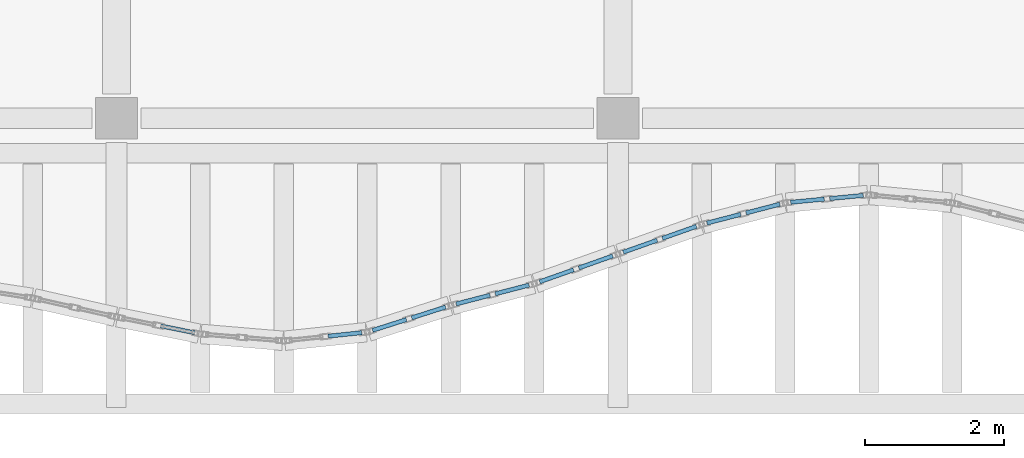
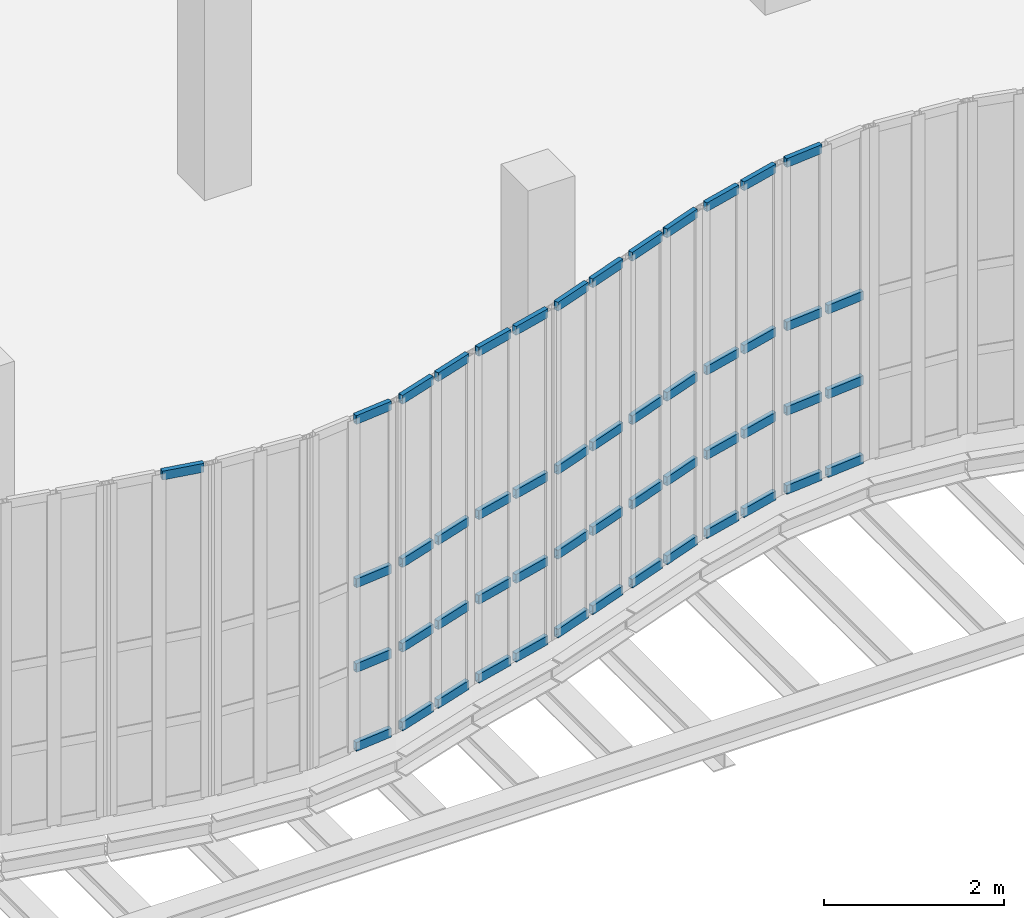
# One storey, part 59 of 105: 52 members, 8 elements without a shape of their own.
"""IFC4 building model written with IfcOpenShell, lengths in metres."""

from ifc_helpers import new_model, si_unit, direction, frame, origin, origin_2d, place, context, subcontext, project, spatial, hollow_rectangle, extrude, material, layer, layer_set, material_profile, profile_set, type_object, element, aggregate, save


model = new_model("IFC4")

# Units and contexts
model_context = context("Model", 3, precision=1e-05, world=origin(), true_north=direction((0.0, 1.0)))
body_context = subcontext(model_context, "Body", "Model", "MODEL_VIEW")
ifc_project = project(units=[si_unit("LENGTHUNIT", "METRE"), si_unit("AREAUNIT", "SQUARE_METRE"), si_unit("VOLUMEUNIT", "CUBIC_METRE"), si_unit("PLANEANGLEUNIT", "RADIAN"), si_unit("MASSUNIT", "GRAM", prefix="KILO"), si_unit("THERMODYNAMICTEMPERATUREUNIT", "KELVIN"), si_unit("POWERUNIT", "WATT")], contexts=[model_context])

# Site, building, storey
site_placement = place(None, origin())
site = spatial("IfcSite", under=ifc_project, at=site_placement, CompositionType="ELEMENT")
building_placement = place(site_placement, origin())
building = spatial("IfcBuilding", under=site, at=building_placement, Name="Kaldorven Railside Theatre", CompositionType="ELEMENT")
storey_placement = place(building_placement, frame((0.0, 0.0, 9.89990234375)))
storey = spatial("IfcBuildingStorey", under=building, at=storey_placement, Name="L02", CompositionType="ELEMENT", Elevation=9.89990234375)

# Curtain wall, member
ifc_material_1 = material(Name="Low-E laminated solar-control glass", Category="glass")
ifc_layer_1 = layer(ifc_material_1, 0.159912109375, Name="Low-E laminated solar-control glass")
ifc_layer_set_1 = layer_set([ifc_layer_1], Name="Low-E laminated solar-control glass")
curtain_wall_type_1 = type_object("IfcCurtainWallType", Name="CWT-07", PredefinedType="USERDEFINED", material=ifc_layer_set_1)
curtain_wall_1_placement = place(storey_placement, origin())
curtain_wall_1 = element("IfcCurtainWall", 1, at=curtain_wall_1_placement, inside=storey, type_object=curtain_wall_type_1, Name="Sinusoidal Fluted Curtain Wall CW-L02-S43", ObjectType="FLUTED GLAZING", PredefinedType="USERDEFINED")
ifc_material_2 = material(Name="Anodised bronze aluminium", Category="aluminium")
ifc_material_profile = material_profile(ifc_material_2, hollow_rectangle(XDim=0.06005859375, YDim=0.1201171875, WallThickness=0.0048828125, at=origin_2d()), Name="RHS 120x60x5")
ifc_profile_set = profile_set([ifc_material_profile], Name="Anodised bronze aluminium")
member_type = type_object("IfcMemberType", Name="CWT-120", PredefinedType="USERDEFINED", material=ifc_profile_set)
member_1_placement = place(storey_placement, frame((87.839111328125, 16.218017578125, 4.47021484375), z_axis=(0.980120145941, -0.198404887842, 0.0), x_axis=(0.198404887842, 0.980120145941, 0.0)))
member_1 = element("IfcMember", 2, at=member_1_placement, type_object=member_type, Name="CW-L02-S43 transom 2.4", ObjectType="TRANSOM", PredefinedType="USERDEFINED", context=body_context, shape_type="SweptSolid", body=[
    extrude(hollow_rectangle(XDim=0.06005859375, YDim=0.1201171875, WallThickness=0.0048828125, at=origin_2d()), origin(), (0.0, 0.0, 1.0), 0.4921875),
])
aggregate(curtain_wall_1, [member_1])

# Curtain wall, members
ifc_layer_2 = layer(ifc_material_1, 0.159912109375, Name="Low-E laminated solar-control glass")
ifc_layer_set_2 = layer_set([ifc_layer_2], Name="Low-E laminated solar-control glass")
curtain_wall_type_2 = type_object("IfcCurtainWallType", Name="CWT-03", PredefinedType="USERDEFINED", material=ifc_layer_set_2)
curtain_wall_2_placement = place(storey_placement, origin())
curtain_wall_2 = element("IfcCurtainWall", 3, at=curtain_wall_2_placement, inside=storey, type_object=curtain_wall_type_2, Name="Sinusoidal Fluted Curtain Wall CW-L02-S45", ObjectType="FLUTED GLAZING", PredefinedType="USERDEFINED")
member_2_placement = place(storey_placement, frame((90.23974609375, 16.071533203125, 0.030029296875), z_axis=(0.994571678809, 0.104053715508, 0.0), x_axis=(-0.104053715508, 0.994571678809, 0.0)))
member_2 = element("IfcMember", 4, at=member_2_placement, type_object=member_type, Name="CW-L02-S45 transom 2.1", ObjectType="TRANSOM", PredefinedType="USERDEFINED", context=body_context, shape_type="SweptSolid", body=[
    extrude(hollow_rectangle(XDim=0.06005859375, YDim=0.1201171875, WallThickness=0.0048828125, at=origin_2d()), origin(), (0.0, 0.0, 1.0), 0.4833984375),
])
member_3_placement = place(storey_placement, frame((90.23974609375, 16.071533203125, 1.10009765625), z_axis=(0.994571678809, 0.104053715508, 0.0), x_axis=(-0.104053715508, 0.994571678809, 0.0)))
member_3 = element("IfcMember", 5, at=member_3_placement, type_object=member_type, Name="CW-L02-S45 transom 2.2", ObjectType="TRANSOM", PredefinedType="USERDEFINED", context=body_context, shape_type="SweptSolid", body=[
    extrude(hollow_rectangle(XDim=0.06005859375, YDim=0.1201171875, WallThickness=0.0048828125, at=origin_2d()), origin(), (0.0, 0.0, 1.0), 0.4833984375),
])
member_4_placement = place(storey_placement, frame((90.23974609375, 16.071533203125, 2.25), z_axis=(0.994571678809, 0.104053715508, 0.0), x_axis=(-0.104053715508, 0.994571678809, 0.0)))
member_4 = element("IfcMember", 6, at=member_4_placement, type_object=member_type, Name="CW-L02-S45 transom 2.3", ObjectType="TRANSOM", PredefinedType="USERDEFINED", context=body_context, shape_type="SweptSolid", body=[
    extrude(hollow_rectangle(XDim=0.06005859375, YDim=0.1201171875, WallThickness=0.0048828125, at=origin_2d()), origin(), (0.0, 0.0, 1.0), 0.4833984375),
])
member_5_placement = place(storey_placement, frame((90.23974609375, 16.071533203125, 4.47021484375), z_axis=(0.994571678809, 0.104053715508, 0.0), x_axis=(-0.104053715508, 0.994571678809, 0.0)))
member_5 = element("IfcMember", 7, at=member_5_placement, type_object=member_type, Name="CW-L02-S45 transom 2.4", ObjectType="TRANSOM", PredefinedType="USERDEFINED", context=body_context, shape_type="SweptSolid", body=[
    extrude(hollow_rectangle(XDim=0.06005859375, YDim=0.1201171875, WallThickness=0.0048828125, at=origin_2d()), origin(), (0.0, 0.0, 1.0), 0.4833984375),
])
aggregate(curtain_wall_2, [member_2, member_3, member_4, member_5])

ifc_layer_3 = layer(ifc_material_1, 0.159912109375, Name="Low-E laminated solar-control glass")
ifc_layer_set_3 = layer_set([ifc_layer_3], Name="Low-E laminated solar-control glass")
curtain_wall_type_3 = type_object("IfcCurtainWallType", Name="CWT-04", PredefinedType="USERDEFINED", material=ifc_layer_set_3)
curtain_wall_3_placement = place(storey_placement, origin())
curtain_wall_3 = element("IfcCurtainWall", 8, at=curtain_wall_3_placement, inside=storey, type_object=curtain_wall_type_3, Name="Sinusoidal Fluted Curtain Wall CW-L02-S46", ObjectType="FLUTED GLAZING", PredefinedType="USERDEFINED")
member_6_placement = place(storey_placement, frame((90.876220703125, 16.154541015625, 0.030029296875), z_axis=(0.952490847755, 0.304567209237, 0.0), x_axis=(-0.304567209237, 0.952490847755, 0.0)))
member_6 = element("IfcMember", 9, at=member_6_placement, type_object=member_type, Name="CW-L02-S46 transom 1.1", ObjectType="TRANSOM", PredefinedType="USERDEFINED", context=body_context, shape_type="SweptSolid", body=[
    extrude(hollow_rectangle(XDim=0.06005859375, YDim=0.1201171875, WallThickness=0.0048828125, at=origin_2d()), origin(), (0.0, 0.0, 1.0), 0.509765625),
])
member_7_placement = place(storey_placement, frame((90.876220703125, 16.154541015625, 1.10009765625), z_axis=(0.952490847755, 0.304567209237, 0.0), x_axis=(-0.304567209237, 0.952490847755, 0.0)))
member_7 = element("IfcMember", 10, at=member_7_placement, type_object=member_type, Name="CW-L02-S46 transom 1.2", ObjectType="TRANSOM", PredefinedType="USERDEFINED", context=body_context, shape_type="SweptSolid", body=[
    extrude(hollow_rectangle(XDim=0.06005859375, YDim=0.1201171875, WallThickness=0.0048828125, at=origin_2d()), origin(), (0.0, 0.0, 1.0), 0.509765625),
])
member_8_placement = place(storey_placement, frame((90.876220703125, 16.154541015625, 2.25), z_axis=(0.952490847755, 0.304567209237, 0.0), x_axis=(-0.304567209237, 0.952490847755, 0.0)))
member_8 = element("IfcMember", 11, at=member_8_placement, type_object=member_type, Name="CW-L02-S46 transom 1.3", ObjectType="TRANSOM", PredefinedType="USERDEFINED", context=body_context, shape_type="SweptSolid", body=[
    extrude(hollow_rectangle(XDim=0.06005859375, YDim=0.1201171875, WallThickness=0.0048828125, at=origin_2d()), origin(), (0.0, 0.0, 1.0), 0.509765625),
])
member_9_placement = place(storey_placement, frame((90.876220703125, 16.154541015625, 4.47021484375), z_axis=(0.952490847755, 0.304567209237, 0.0), x_axis=(-0.304567209237, 0.952490847755, 0.0)))
member_9 = element("IfcMember", 12, at=member_9_placement, type_object=member_type, Name="CW-L02-S46 transom 1.4", ObjectType="TRANSOM", PredefinedType="USERDEFINED", context=body_context, shape_type="SweptSolid", body=[
    extrude(hollow_rectangle(XDim=0.06005859375, YDim=0.1201171875, WallThickness=0.0048828125, at=origin_2d()), origin(), (0.0, 0.0, 1.0), 0.509765625),
])
member_10_placement = place(storey_placement, frame((91.43798828125, 16.334228515625, 0.030029296875), z_axis=(0.952535238788, 0.304428347673, 0.0), x_axis=(-0.304428347673, 0.952535238788, 0.0)))
member_10 = element("IfcMember", 13, at=member_10_placement, type_object=member_type, Name="CW-L02-S46 transom 2.1", ObjectType="TRANSOM", PredefinedType="USERDEFINED", context=body_context, shape_type="SweptSolid", body=[
    extrude(hollow_rectangle(XDim=0.06005859375, YDim=0.1201171875, WallThickness=0.0048828125, at=origin_2d()), origin(), (0.0, 0.0, 1.0), 0.510009765625),
])
member_11_placement = place(storey_placement, frame((91.43798828125, 16.334228515625, 1.10009765625), z_axis=(0.952535238788, 0.304428347673, 0.0), x_axis=(-0.304428347673, 0.952535238788, 0.0)))
member_11 = element("IfcMember", 14, at=member_11_placement, type_object=member_type, Name="CW-L02-S46 transom 2.2", ObjectType="TRANSOM", PredefinedType="USERDEFINED", context=body_context, shape_type="SweptSolid", body=[
    extrude(hollow_rectangle(XDim=0.06005859375, YDim=0.1201171875, WallThickness=0.0048828125, at=origin_2d()), origin(), (0.0, 0.0, 1.0), 0.510009765625),
])
member_12_placement = place(storey_placement, frame((91.43798828125, 16.334228515625, 2.25), z_axis=(0.952535238788, 0.304428347673, 0.0), x_axis=(-0.304428347673, 0.952535238788, 0.0)))
member_12 = element("IfcMember", 15, at=member_12_placement, type_object=member_type, Name="CW-L02-S46 transom 2.3", ObjectType="TRANSOM", PredefinedType="USERDEFINED", context=body_context, shape_type="SweptSolid", body=[
    extrude(hollow_rectangle(XDim=0.06005859375, YDim=0.1201171875, WallThickness=0.0048828125, at=origin_2d()), origin(), (0.0, 0.0, 1.0), 0.510009765625),
])
member_13_placement = place(storey_placement, frame((91.43798828125, 16.334228515625, 4.47021484375), z_axis=(0.952535238788, 0.304428347673, 0.0), x_axis=(-0.304428347673, 0.952535238788, 0.0)))
member_13 = element("IfcMember", 16, at=member_13_placement, type_object=member_type, Name="CW-L02-S46 transom 2.4", ObjectType="TRANSOM", PredefinedType="USERDEFINED", context=body_context, shape_type="SweptSolid", body=[
    extrude(hollow_rectangle(XDim=0.06005859375, YDim=0.1201171875, WallThickness=0.0048828125, at=origin_2d()), origin(), (0.0, 0.0, 1.0), 0.510009765625),
])
aggregate(curtain_wall_3, [member_6, member_7, member_8, member_9, member_10, member_11, member_12, member_13])

ifc_layer_4 = layer(ifc_material_1, 0.159912109375, Name="Low-E laminated solar-control glass")
ifc_layer_set_4 = layer_set([ifc_layer_4], Name="Low-E laminated solar-control glass")
curtain_wall_type_4 = type_object("IfcCurtainWallType", Name="CWT-02", PredefinedType="USERDEFINED", material=ifc_layer_set_4)
curtain_wall_4_placement = place(storey_placement, origin())
curtain_wall_4 = element("IfcCurtainWall", 17, at=curtain_wall_4_placement, inside=storey, type_object=curtain_wall_type_4, Name="Sinusoidal Fluted Curtain Wall CW-L02-S47", ObjectType="FLUTED GLAZING", PredefinedType="USERDEFINED")
member_14_placement = place(storey_placement, frame((92.077392578125, 16.533935546875, 0.030029296875), z_axis=(0.967979318949, 0.251029954561, 0.0), x_axis=(-0.251029954561, 0.967979318949, 0.0)))
member_14 = element("IfcMember", 18, at=member_14_placement, type_object=member_type, Name="CW-L02-S47 transom 1.1", ObjectType="TRANSOM", PredefinedType="USERDEFINED", context=body_context, shape_type="SweptSolid", body=[
    extrude(hollow_rectangle(XDim=0.06005859375, YDim=0.1201171875, WallThickness=0.0048828125, at=origin_2d()), origin(), (0.0, 0.0, 1.0), 0.5),
])
member_15_placement = place(storey_placement, frame((92.077392578125, 16.533935546875, 1.10009765625), z_axis=(0.967979318949, 0.251029954561, 0.0), x_axis=(-0.251029954561, 0.967979318949, 0.0)))
member_15 = element("IfcMember", 19, at=member_15_placement, type_object=member_type, Name="CW-L02-S47 transom 1.2", ObjectType="TRANSOM", PredefinedType="USERDEFINED", context=body_context, shape_type="SweptSolid", body=[
    extrude(hollow_rectangle(XDim=0.06005859375, YDim=0.1201171875, WallThickness=0.0048828125, at=origin_2d()), origin(), (0.0, 0.0, 1.0), 0.5),
])
member_16_placement = place(storey_placement, frame((92.077392578125, 16.533935546875, 2.25), z_axis=(0.967979318949, 0.251029954561, 0.0), x_axis=(-0.251029954561, 0.967979318949, 0.0)))
member_16 = element("IfcMember", 20, at=member_16_placement, type_object=member_type, Name="CW-L02-S47 transom 1.3", ObjectType="TRANSOM", PredefinedType="USERDEFINED", context=body_context, shape_type="SweptSolid", body=[
    extrude(hollow_rectangle(XDim=0.06005859375, YDim=0.1201171875, WallThickness=0.0048828125, at=origin_2d()), origin(), (0.0, 0.0, 1.0), 0.5),
])
member_17_placement = place(storey_placement, frame((92.077392578125, 16.533935546875, 4.47021484375), z_axis=(0.967979318949, 0.251029954561, 0.0), x_axis=(-0.251029954561, 0.967979318949, 0.0)))
member_17 = element("IfcMember", 21, at=member_17_placement, type_object=member_type, Name="CW-L02-S47 transom 1.4", ObjectType="TRANSOM", PredefinedType="USERDEFINED", context=body_context, shape_type="SweptSolid", body=[
    extrude(hollow_rectangle(XDim=0.06005859375, YDim=0.1201171875, WallThickness=0.0048828125, at=origin_2d()), origin(), (0.0, 0.0, 1.0), 0.5),
])
member_18_placement = place(storey_placement, frame((92.638671875, 16.679443359375, 0.030029296875), z_axis=(0.967979318949, 0.251029954561, 0.0), x_axis=(-0.251029954561, 0.967979318949, 0.0)))
member_18 = element("IfcMember", 22, at=member_18_placement, type_object=member_type, Name="CW-L02-S47 transom 2.1", ObjectType="TRANSOM", PredefinedType="USERDEFINED", context=body_context, shape_type="SweptSolid", body=[
    extrude(hollow_rectangle(XDim=0.06005859375, YDim=0.1201171875, WallThickness=0.0048828125, at=origin_2d()), origin(), (0.0, 0.0, 1.0), 0.5),
])
member_19_placement = place(storey_placement, frame((92.638671875, 16.679443359375, 1.10009765625), z_axis=(0.967979318949, 0.251029954561, 0.0), x_axis=(-0.251029954561, 0.967979318949, 0.0)))
member_19 = element("IfcMember", 23, at=member_19_placement, type_object=member_type, Name="CW-L02-S47 transom 2.2", ObjectType="TRANSOM", PredefinedType="USERDEFINED", context=body_context, shape_type="SweptSolid", body=[
    extrude(hollow_rectangle(XDim=0.06005859375, YDim=0.1201171875, WallThickness=0.0048828125, at=origin_2d()), origin(), (0.0, 0.0, 1.0), 0.5),
])
member_20_placement = place(storey_placement, frame((92.638671875, 16.679443359375, 2.25), z_axis=(0.967979318949, 0.251029954561, 0.0), x_axis=(-0.251029954561, 0.967979318949, 0.0)))
member_20 = element("IfcMember", 24, at=member_20_placement, type_object=member_type, Name="CW-L02-S47 transom 2.3", ObjectType="TRANSOM", PredefinedType="USERDEFINED", context=body_context, shape_type="SweptSolid", body=[
    extrude(hollow_rectangle(XDim=0.06005859375, YDim=0.1201171875, WallThickness=0.0048828125, at=origin_2d()), origin(), (0.0, 0.0, 1.0), 0.5),
])
member_21_placement = place(storey_placement, frame((92.638671875, 16.679443359375, 4.47021484375), z_axis=(0.967979318949, 0.251029954561, 0.0), x_axis=(-0.251029954561, 0.967979318949, 0.0)))
member_21 = element("IfcMember", 25, at=member_21_placement, type_object=member_type, Name="CW-L02-S47 transom 2.4", ObjectType="TRANSOM", PredefinedType="USERDEFINED", context=body_context, shape_type="SweptSolid", body=[
    extrude(hollow_rectangle(XDim=0.06005859375, YDim=0.1201171875, WallThickness=0.0048828125, at=origin_2d()), origin(), (0.0, 0.0, 1.0), 0.5),
])
aggregate(curtain_wall_4, [member_14, member_15, member_16, member_17, member_18, member_19, member_20, member_21])

ifc_layer_5 = layer(ifc_material_1, 0.159912109375, Name="Low-E laminated solar-control glass")
ifc_layer_set_5 = layer_set([ifc_layer_5], Name="Low-E laminated solar-control glass")
curtain_wall_type_5 = type_object("IfcCurtainWallType", Name="CWT-01", PredefinedType="USERDEFINED", material=ifc_layer_set_5)
curtain_wall_5_placement = place(storey_placement, origin())
curtain_wall_5 = element("IfcCurtainWall", 26, at=curtain_wall_5_placement, inside=storey, type_object=curtain_wall_type_5, Name="Sinusoidal Fluted Curtain Wall CW-L02-S48", ObjectType="FLUTED GLAZING", PredefinedType="USERDEFINED")
member_22_placement = place(storey_placement, frame((93.275390625, 16.851806640625, 0.030029296875), z_axis=(0.942658214948, 0.333759628763, 0.0), x_axis=(-0.333759628763, 0.942658214948, 0.0)))
member_22 = element("IfcMember", 27, at=member_22_placement, type_object=member_type, Name="CW-L02-S48 transom 1.1", ObjectType="TRANSOM", PredefinedType="USERDEFINED", context=body_context, shape_type="SweptSolid", body=[
    extrude(hollow_rectangle(XDim=0.06005859375, YDim=0.1201171875, WallThickness=0.0048828125, at=origin_2d()), origin(), (0.0, 0.0, 1.0), 0.516357421875),
])
member_23_placement = place(storey_placement, frame((93.275390625, 16.851806640625, 1.10009765625), z_axis=(0.942658214948, 0.333759628763, 0.0), x_axis=(-0.333759628763, 0.942658214948, 0.0)))
member_23 = element("IfcMember", 28, at=member_23_placement, type_object=member_type, Name="CW-L02-S48 transom 1.2", ObjectType="TRANSOM", PredefinedType="USERDEFINED", context=body_context, shape_type="SweptSolid", body=[
    extrude(hollow_rectangle(XDim=0.06005859375, YDim=0.1201171875, WallThickness=0.0048828125, at=origin_2d()), origin(), (0.0, 0.0, 1.0), 0.516357421875),
])
member_24_placement = place(storey_placement, frame((93.275390625, 16.851806640625, 2.25), z_axis=(0.942658214948, 0.333759628763, 0.0), x_axis=(-0.333759628763, 0.942658214948, 0.0)))
member_24 = element("IfcMember", 29, at=member_24_placement, type_object=member_type, Name="CW-L02-S48 transom 1.3", ObjectType="TRANSOM", PredefinedType="USERDEFINED", context=body_context, shape_type="SweptSolid", body=[
    extrude(hollow_rectangle(XDim=0.06005859375, YDim=0.1201171875, WallThickness=0.0048828125, at=origin_2d()), origin(), (0.0, 0.0, 1.0), 0.516357421875),
])
member_25_placement = place(storey_placement, frame((93.275390625, 16.851806640625, 4.47021484375), z_axis=(0.942658214948, 0.333759628763, 0.0), x_axis=(-0.333759628763, 0.942658214948, 0.0)))
member_25 = element("IfcMember", 30, at=member_25_placement, type_object=member_type, Name="CW-L02-S48 transom 1.4", ObjectType="TRANSOM", PredefinedType="USERDEFINED", context=body_context, shape_type="SweptSolid", body=[
    extrude(hollow_rectangle(XDim=0.06005859375, YDim=0.1201171875, WallThickness=0.0048828125, at=origin_2d()), origin(), (0.0, 0.0, 1.0), 0.516357421875),
])
member_26_placement = place(storey_placement, frame((93.837646484375, 17.05078125, 0.030029296875), z_axis=(0.94256215944, 0.334030800363, 0.0), x_axis=(-0.334030800363, 0.94256215944, 0.0)))
member_26 = element("IfcMember", 31, at=member_26_placement, type_object=member_type, Name="CW-L02-S48 transom 2.1", ObjectType="TRANSOM", PredefinedType="USERDEFINED", context=body_context, shape_type="SweptSolid", body=[
    extrude(hollow_rectangle(XDim=0.06005859375, YDim=0.1201171875, WallThickness=0.0048828125, at=origin_2d()), origin(), (0.0, 0.0, 1.0), 0.516845703125),
])
member_27_placement = place(storey_placement, frame((93.837646484375, 17.05078125, 1.10009765625), z_axis=(0.94256215944, 0.334030800363, 0.0), x_axis=(-0.334030800363, 0.94256215944, 0.0)))
member_27 = element("IfcMember", 32, at=member_27_placement, type_object=member_type, Name="CW-L02-S48 transom 2.2", ObjectType="TRANSOM", PredefinedType="USERDEFINED", context=body_context, shape_type="SweptSolid", body=[
    extrude(hollow_rectangle(XDim=0.06005859375, YDim=0.1201171875, WallThickness=0.0048828125, at=origin_2d()), origin(), (0.0, 0.0, 1.0), 0.516845703125),
])
member_28_placement = place(storey_placement, frame((93.837646484375, 17.05078125, 2.25), z_axis=(0.94256215944, 0.334030800363, 0.0), x_axis=(-0.334030800363, 0.94256215944, 0.0)))
member_28 = element("IfcMember", 33, at=member_28_placement, type_object=member_type, Name="CW-L02-S48 transom 2.3", ObjectType="TRANSOM", PredefinedType="USERDEFINED", context=body_context, shape_type="SweptSolid", body=[
    extrude(hollow_rectangle(XDim=0.06005859375, YDim=0.1201171875, WallThickness=0.0048828125, at=origin_2d()), origin(), (0.0, 0.0, 1.0), 0.516845703125),
])
member_29_placement = place(storey_placement, frame((93.837646484375, 17.05078125, 4.47021484375), z_axis=(0.94256215944, 0.334030800363, 0.0), x_axis=(-0.334030800363, 0.94256215944, 0.0)))
member_29 = element("IfcMember", 34, at=member_29_placement, type_object=member_type, Name="CW-L02-S48 transom 2.4", ObjectType="TRANSOM", PredefinedType="USERDEFINED", context=body_context, shape_type="SweptSolid", body=[
    extrude(hollow_rectangle(XDim=0.06005859375, YDim=0.1201171875, WallThickness=0.0048828125, at=origin_2d()), origin(), (0.0, 0.0, 1.0), 0.516845703125),
])
aggregate(curtain_wall_5, [member_22, member_23, member_24, member_25, member_26, member_27, member_28, member_29])

curtain_wall_6_placement = place(storey_placement, origin())
curtain_wall_6 = element("IfcCurtainWall", 35, at=curtain_wall_6_placement, inside=storey, type_object=curtain_wall_type_5, Name="Sinusoidal Fluted Curtain Wall CW-L02-S49", ObjectType="FLUTED GLAZING", PredefinedType="USERDEFINED")
member_30_placement = place(storey_placement, frame((94.475341796875, 17.276611328125, 0.030029296875), z_axis=(0.94256215944, 0.334030800363, 0.0), x_axis=(-0.334030800363, 0.94256215944, 0.0)))
member_30 = element("IfcMember", 36, at=member_30_placement, type_object=member_type, Name="CW-L02-S49 transom 1.1", ObjectType="TRANSOM", PredefinedType="USERDEFINED", context=body_context, shape_type="SweptSolid", body=[
    extrude(hollow_rectangle(XDim=0.06005859375, YDim=0.1201171875, WallThickness=0.0048828125, at=origin_2d()), origin(), (0.0, 0.0, 1.0), 0.516845703125),
])
member_31_placement = place(storey_placement, frame((94.475341796875, 17.276611328125, 1.10009765625), z_axis=(0.94256215944, 0.334030800363, 0.0), x_axis=(-0.334030800363, 0.94256215944, 0.0)))
member_31 = element("IfcMember", 37, at=member_31_placement, type_object=member_type, Name="CW-L02-S49 transom 1.2", ObjectType="TRANSOM", PredefinedType="USERDEFINED", context=body_context, shape_type="SweptSolid", body=[
    extrude(hollow_rectangle(XDim=0.06005859375, YDim=0.1201171875, WallThickness=0.0048828125, at=origin_2d()), origin(), (0.0, 0.0, 1.0), 0.516845703125),
])
member_32_placement = place(storey_placement, frame((94.475341796875, 17.276611328125, 2.25), z_axis=(0.94256215944, 0.334030800363, 0.0), x_axis=(-0.334030800363, 0.94256215944, 0.0)))
member_32 = element("IfcMember", 38, at=member_32_placement, type_object=member_type, Name="CW-L02-S49 transom 1.3", ObjectType="TRANSOM", PredefinedType="USERDEFINED", context=body_context, shape_type="SweptSolid", body=[
    extrude(hollow_rectangle(XDim=0.06005859375, YDim=0.1201171875, WallThickness=0.0048828125, at=origin_2d()), origin(), (0.0, 0.0, 1.0), 0.516845703125),
])
member_33_placement = place(storey_placement, frame((94.475341796875, 17.276611328125, 4.47021484375), z_axis=(0.94256215944, 0.334030800363, 0.0), x_axis=(-0.334030800363, 0.94256215944, 0.0)))
member_33 = element("IfcMember", 39, at=member_33_placement, type_object=member_type, Name="CW-L02-S49 transom 1.4", ObjectType="TRANSOM", PredefinedType="USERDEFINED", context=body_context, shape_type="SweptSolid", body=[
    extrude(hollow_rectangle(XDim=0.06005859375, YDim=0.1201171875, WallThickness=0.0048828125, at=origin_2d()), origin(), (0.0, 0.0, 1.0), 0.516845703125),
])
member_34_placement = place(storey_placement, frame((95.03759765625, 17.475830078125, 0.030029296875), z_axis=(0.942710841688, 0.333610954502, 0.0), x_axis=(-0.333610954502, 0.942710841688, 0.0)))
member_34 = element("IfcMember", 40, at=member_34_placement, type_object=member_type, Name="CW-L02-S49 transom 2.1", ObjectType="TRANSOM", PredefinedType="USERDEFINED", context=body_context, shape_type="SweptSolid", body=[
    extrude(hollow_rectangle(XDim=0.06005859375, YDim=0.1201171875, WallThickness=0.0048828125, at=origin_2d()), origin(), (0.0, 0.0, 1.0), 0.5166015625),
])
member_35_placement = place(storey_placement, frame((95.03759765625, 17.475830078125, 1.10009765625), z_axis=(0.942710841688, 0.333610954502, 0.0), x_axis=(-0.333610954502, 0.942710841688, 0.0)))
member_35 = element("IfcMember", 41, at=member_35_placement, type_object=member_type, Name="CW-L02-S49 transom 2.2", ObjectType="TRANSOM", PredefinedType="USERDEFINED", context=body_context, shape_type="SweptSolid", body=[
    extrude(hollow_rectangle(XDim=0.06005859375, YDim=0.1201171875, WallThickness=0.0048828125, at=origin_2d()), origin(), (0.0, 0.0, 1.0), 0.5166015625),
])
member_36_placement = place(storey_placement, frame((95.03759765625, 17.475830078125, 2.25), z_axis=(0.942710841688, 0.333610954502, 0.0), x_axis=(-0.333610954502, 0.942710841688, 0.0)))
member_36 = element("IfcMember", 42, at=member_36_placement, type_object=member_type, Name="CW-L02-S49 transom 2.3", ObjectType="TRANSOM", PredefinedType="USERDEFINED", context=body_context, shape_type="SweptSolid", body=[
    extrude(hollow_rectangle(XDim=0.06005859375, YDim=0.1201171875, WallThickness=0.0048828125, at=origin_2d()), origin(), (0.0, 0.0, 1.0), 0.5166015625),
])
member_37_placement = place(storey_placement, frame((95.03759765625, 17.475830078125, 4.47021484375), z_axis=(0.942710841688, 0.333610954502, 0.0), x_axis=(-0.333610954502, 0.942710841688, 0.0)))
member_37 = element("IfcMember", 43, at=member_37_placement, type_object=member_type, Name="CW-L02-S49 transom 2.4", ObjectType="TRANSOM", PredefinedType="USERDEFINED", context=body_context, shape_type="SweptSolid", body=[
    extrude(hollow_rectangle(XDim=0.06005859375, YDim=0.1201171875, WallThickness=0.0048828125, at=origin_2d()), origin(), (0.0, 0.0, 1.0), 0.5166015625),
])
aggregate(curtain_wall_6, [member_30, member_31, member_32, member_33, member_34, member_35, member_36, member_37])

curtain_wall_7_placement = place(storey_placement, origin())
curtain_wall_7 = element("IfcCurtainWall", 44, at=curtain_wall_7_placement, inside=storey, type_object=curtain_wall_type_4, Name="Sinusoidal Fluted Curtain Wall CW-L02-S50", ObjectType="FLUTED GLAZING", PredefinedType="USERDEFINED")
member_38_placement = place(storey_placement, frame((95.677490234375, 17.695068359375, 0.030029296875), z_axis=(0.967979318949, 0.251029954561, 0.0), x_axis=(-0.251029954561, 0.967979318949, 0.0)))
member_38 = element("IfcMember", 45, at=member_38_placement, type_object=member_type, Name="CW-L02-S50 transom 1.1", ObjectType="TRANSOM", PredefinedType="USERDEFINED", context=body_context, shape_type="SweptSolid", body=[
    extrude(hollow_rectangle(XDim=0.06005859375, YDim=0.1201171875, WallThickness=0.0048828125, at=origin_2d()), origin(), (0.0, 0.0, 1.0), 0.5),
])
member_39_placement = place(storey_placement, frame((95.677490234375, 17.695068359375, 1.10009765625), z_axis=(0.967979318949, 0.251029954561, 0.0), x_axis=(-0.251029954561, 0.967979318949, 0.0)))
member_39 = element("IfcMember", 46, at=member_39_placement, type_object=member_type, Name="CW-L02-S50 transom 1.2", ObjectType="TRANSOM", PredefinedType="USERDEFINED", context=body_context, shape_type="SweptSolid", body=[
    extrude(hollow_rectangle(XDim=0.06005859375, YDim=0.1201171875, WallThickness=0.0048828125, at=origin_2d()), origin(), (0.0, 0.0, 1.0), 0.5),
])
member_40_placement = place(storey_placement, frame((95.677490234375, 17.695068359375, 2.25), z_axis=(0.967979318949, 0.251029954561, 0.0), x_axis=(-0.251029954561, 0.967979318949, 0.0)))
member_40 = element("IfcMember", 47, at=member_40_placement, type_object=member_type, Name="CW-L02-S50 transom 1.3", ObjectType="TRANSOM", PredefinedType="USERDEFINED", context=body_context, shape_type="SweptSolid", body=[
    extrude(hollow_rectangle(XDim=0.06005859375, YDim=0.1201171875, WallThickness=0.0048828125, at=origin_2d()), origin(), (0.0, 0.0, 1.0), 0.5),
])
member_41_placement = place(storey_placement, frame((95.677490234375, 17.695068359375, 4.47021484375), z_axis=(0.967979318949, 0.251029954561, 0.0), x_axis=(-0.251029954561, 0.967979318949, 0.0)))
member_41 = element("IfcMember", 48, at=member_41_placement, type_object=member_type, Name="CW-L02-S50 transom 1.4", ObjectType="TRANSOM", PredefinedType="USERDEFINED", context=body_context, shape_type="SweptSolid", body=[
    extrude(hollow_rectangle(XDim=0.06005859375, YDim=0.1201171875, WallThickness=0.0048828125, at=origin_2d()), origin(), (0.0, 0.0, 1.0), 0.5),
])
member_42_placement = place(storey_placement, frame((96.23876953125, 17.840576171875, 0.030029296875), z_axis=(0.967979318949, 0.251029954561, 0.0), x_axis=(-0.251029954561, 0.967979318949, 0.0)))
member_42 = element("IfcMember", 49, at=member_42_placement, type_object=member_type, Name="CW-L02-S50 transom 2.1", ObjectType="TRANSOM", PredefinedType="USERDEFINED", context=body_context, shape_type="SweptSolid", body=[
    extrude(hollow_rectangle(XDim=0.06005859375, YDim=0.1201171875, WallThickness=0.0048828125, at=origin_2d()), origin(), (0.0, 0.0, 1.0), 0.5),
])
member_43_placement = place(storey_placement, frame((96.23876953125, 17.840576171875, 1.10009765625), z_axis=(0.967979318949, 0.251029954561, 0.0), x_axis=(-0.251029954561, 0.967979318949, 0.0)))
member_43 = element("IfcMember", 50, at=member_43_placement, type_object=member_type, Name="CW-L02-S50 transom 2.2", ObjectType="TRANSOM", PredefinedType="USERDEFINED", context=body_context, shape_type="SweptSolid", body=[
    extrude(hollow_rectangle(XDim=0.06005859375, YDim=0.1201171875, WallThickness=0.0048828125, at=origin_2d()), origin(), (0.0, 0.0, 1.0), 0.5),
])
member_44_placement = place(storey_placement, frame((96.23876953125, 17.840576171875, 2.25), z_axis=(0.967979318949, 0.251029954561, 0.0), x_axis=(-0.251029954561, 0.967979318949, 0.0)))
member_44 = element("IfcMember", 51, at=member_44_placement, type_object=member_type, Name="CW-L02-S50 transom 2.3", ObjectType="TRANSOM", PredefinedType="USERDEFINED", context=body_context, shape_type="SweptSolid", body=[
    extrude(hollow_rectangle(XDim=0.06005859375, YDim=0.1201171875, WallThickness=0.0048828125, at=origin_2d()), origin(), (0.0, 0.0, 1.0), 0.5),
])
member_45_placement = place(storey_placement, frame((96.23876953125, 17.840576171875, 4.47021484375), z_axis=(0.967979318949, 0.251029954561, 0.0), x_axis=(-0.251029954561, 0.967979318949, 0.0)))
member_45 = element("IfcMember", 52, at=member_45_placement, type_object=member_type, Name="CW-L02-S50 transom 2.4", ObjectType="TRANSOM", PredefinedType="USERDEFINED", context=body_context, shape_type="SweptSolid", body=[
    extrude(hollow_rectangle(XDim=0.06005859375, YDim=0.1201171875, WallThickness=0.0048828125, at=origin_2d()), origin(), (0.0, 0.0, 1.0), 0.5),
])
aggregate(curtain_wall_7, [member_38, member_39, member_40, member_41, member_42, member_43, member_44, member_45])

curtain_wall_8_placement = place(storey_placement, origin())
curtain_wall_8 = element("IfcCurtainWall", 53, at=curtain_wall_8_placement, inside=storey, type_object=curtain_wall_type_2, Name="Sinusoidal Fluted Curtain Wall CW-L02-S51", ObjectType="FLUTED GLAZING", PredefinedType="USERDEFINED")
member_46_placement = place(storey_placement, frame((96.879638671875, 17.99365234375, 0.030029296875), z_axis=(0.995515910823, 0.094594245591, 0.0), x_axis=(-0.094594245591, 0.995515910823, 0.0)))
member_46 = element("IfcMember", 54, at=member_46_placement, type_object=member_type, Name="CW-L02-S51 transom 1.1", ObjectType="TRANSOM", PredefinedType="USERDEFINED", context=body_context, shape_type="SweptSolid", body=[
    extrude(hollow_rectangle(XDim=0.06005859375, YDim=0.1201171875, WallThickness=0.0048828125, at=origin_2d()), origin(), (0.0, 0.0, 1.0), 0.482666015625),
])
member_47_placement = place(storey_placement, frame((96.879638671875, 17.99365234375, 1.10009765625), z_axis=(0.995515910823, 0.094594245591, 0.0), x_axis=(-0.094594245591, 0.995515910823, 0.0)))
member_47 = element("IfcMember", 55, at=member_47_placement, type_object=member_type, Name="CW-L02-S51 transom 1.2", ObjectType="TRANSOM", PredefinedType="USERDEFINED", context=body_context, shape_type="SweptSolid", body=[
    extrude(hollow_rectangle(XDim=0.06005859375, YDim=0.1201171875, WallThickness=0.0048828125, at=origin_2d()), origin(), (0.0, 0.0, 1.0), 0.482666015625),
])
member_48_placement = place(storey_placement, frame((96.879638671875, 17.99365234375, 2.25), z_axis=(0.995515910823, 0.094594245591, 0.0), x_axis=(-0.094594245591, 0.995515910823, 0.0)))
member_48 = element("IfcMember", 56, at=member_48_placement, type_object=member_type, Name="CW-L02-S51 transom 1.3", ObjectType="TRANSOM", PredefinedType="USERDEFINED", context=body_context, shape_type="SweptSolid", body=[
    extrude(hollow_rectangle(XDim=0.06005859375, YDim=0.1201171875, WallThickness=0.0048828125, at=origin_2d()), origin(), (0.0, 0.0, 1.0), 0.482666015625),
])
member_49_placement = place(storey_placement, frame((96.879638671875, 17.99365234375, 4.47021484375), z_axis=(0.995515910823, 0.094594245591, 0.0), x_axis=(-0.094594245591, 0.995515910823, 0.0)))
member_49 = element("IfcMember", 57, at=member_49_placement, type_object=member_type, Name="CW-L02-S51 transom 1.4", ObjectType="TRANSOM", PredefinedType="USERDEFINED", context=body_context, shape_type="SweptSolid", body=[
    extrude(hollow_rectangle(XDim=0.06005859375, YDim=0.1201171875, WallThickness=0.0048828125, at=origin_2d()), origin(), (0.0, 0.0, 1.0), 0.482666015625),
])
member_50_placement = place(storey_placement, frame((97.43994140625, 18.046875, 0.030029296875), z_axis=(0.995515910823, 0.094594245591, 0.0), x_axis=(-0.094594245591, 0.995515910823, 0.0)))
member_50 = element("IfcMember", 58, at=member_50_placement, type_object=member_type, Name="CW-L02-S51 transom 2.1", ObjectType="TRANSOM", PredefinedType="USERDEFINED", context=body_context, shape_type="SweptSolid", body=[
    extrude(hollow_rectangle(XDim=0.06005859375, YDim=0.1201171875, WallThickness=0.0048828125, at=origin_2d()), origin(), (0.0, 0.0, 1.0), 0.482666015625),
])
member_51_placement = place(storey_placement, frame((97.43994140625, 18.046875, 1.10009765625), z_axis=(0.995515910823, 0.094594245591, 0.0), x_axis=(-0.094594245591, 0.995515910823, 0.0)))
member_51 = element("IfcMember", 59, at=member_51_placement, type_object=member_type, Name="CW-L02-S51 transom 2.2", ObjectType="TRANSOM", PredefinedType="USERDEFINED", context=body_context, shape_type="SweptSolid", body=[
    extrude(hollow_rectangle(XDim=0.06005859375, YDim=0.1201171875, WallThickness=0.0048828125, at=origin_2d()), origin(), (0.0, 0.0, 1.0), 0.482666015625),
])
member_52_placement = place(storey_placement, frame((97.43994140625, 18.046875, 2.25), z_axis=(0.995515910823, 0.094594245591, 0.0), x_axis=(-0.094594245591, 0.995515910823, 0.0)))
member_52 = element("IfcMember", 60, at=member_52_placement, type_object=member_type, Name="CW-L02-S51 transom 2.3", ObjectType="TRANSOM", PredefinedType="USERDEFINED", context=body_context, shape_type="SweptSolid", body=[
    extrude(hollow_rectangle(XDim=0.06005859375, YDim=0.1201171875, WallThickness=0.0048828125, at=origin_2d()), origin(), (0.0, 0.0, 1.0), 0.482666015625),
])
aggregate(curtain_wall_8, [member_46, member_47, member_48, member_49, member_50, member_51, member_52])

save(model, "model.ifc")
